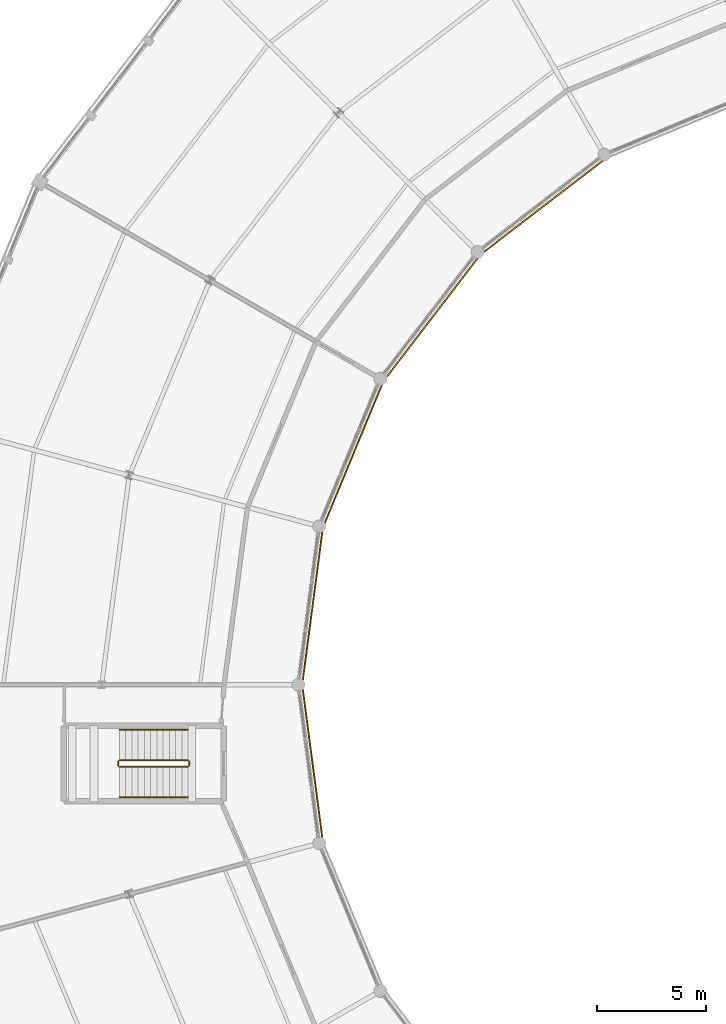
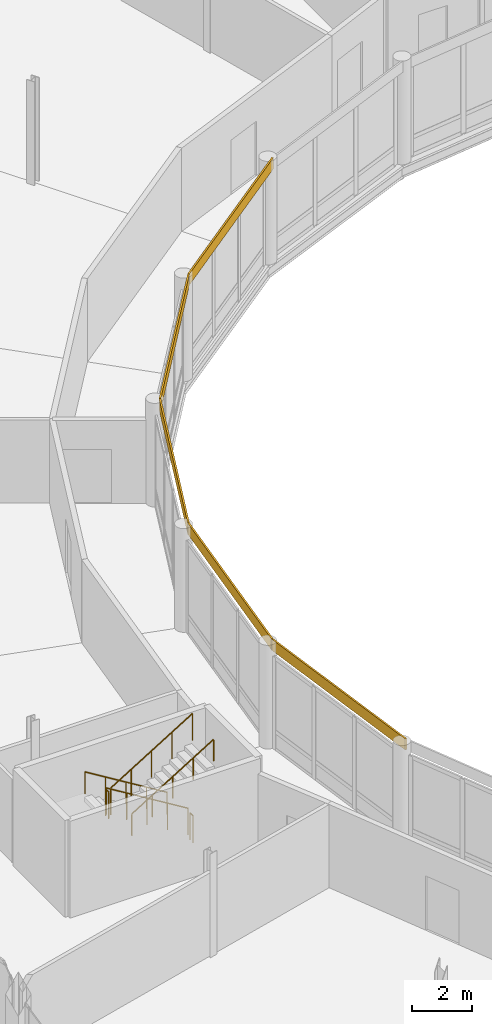
# One storey, part 162 of 170: 6 railings, 5 coverings.
"""IFC4 building model written with IfcOpenShell, lengths in metres."""

from ifc_helpers import new_model, si_unit, direction, frame, origin, origin_2d, place, context, subcontext, project, spatial, rectangle, circle, extrude, material, layer, layer_set, type_object, element, save


model = new_model("IFC4")

# Units and contexts
model_context = context("Model", 3, precision=1e-05, world=origin(), true_north=direction((0.0, 1.0)))
body_context = subcontext(model_context, "Body", "Model", "MODEL_VIEW")
ifc_project = project(units=[si_unit("LENGTHUNIT", "METRE"), si_unit("AREAUNIT", "SQUARE_METRE"), si_unit("VOLUMEUNIT", "CUBIC_METRE"), si_unit("PLANEANGLEUNIT", "RADIAN"), si_unit("MASSUNIT", "GRAM", prefix="KILO")], contexts=[model_context])

# Site, building, storey
site_placement = place(None, origin())
site = spatial("IfcSite", under=ifc_project, at=site_placement, CompositionType="ELEMENT")
building_placement = place(site_placement, origin())
building = spatial("IfcBuilding", under=site, at=building_placement, Name="Vondelvale Polytechnic", CompositionType="ELEMENT")
storey_placement = place(building_placement, frame((0.0, 0.0, 5.39990234375)))
storey = spatial("IfcBuildingStorey", under=building, at=storey_placement, Name="L01", CompositionType="ELEMENT", Elevation=5.39990234375)

# Coverings
ifc_material_1 = material(Name="Engineered Tasmanian oak studio and bridge joinery")
ifc_layer_1 = layer(ifc_material_1, 0.06494140625)
ifc_layer_set_1 = layer_set([ifc_layer_1], Name="COV-OAK-SPANDREL")
covering_type = type_object("IfcCoveringType", Name="COV-OAK-SPANDREL", PredefinedType="CLADDING", material=ifc_layer_set_1)
for number, where, z_axis, x_axis, name in (
    (1, (85.20458984375, 93.88818359375, 3.75), (0.0, 0.0, 1.0), (-0.793353340291, -0.608761429009, 0.0), "L01 exterior masonry spandrel band"),
    (2, (80.11181640625, 88.79541015625, 3.75), (0.0, 0.0, 1.0), (-0.608761429009, -0.793353340291, 0.0), "L01 exterior masonry spandrel band"),
    (3, (76.5107421875, 82.55810546875, 3.75), (0.0, 0.0, 1.0), (-0.382683432365, -0.923879532511, 0.0), "L01 exterior masonry spandrel band"),
):
    element("IfcCovering", number, at=place(storey_placement, frame(where, z_axis=z_axis, x_axis=x_axis)), inside=storey, type_object=covering_type, Name=name, PredefinedType="CLADDING", context=body_context, shape_type="SweptSolid", body=[
        extrude(rectangle(XDim=7.3095703125, YDim=0.06494140625, at=origin_2d()), origin(), (0.0, 0.0, 1.0), 0.449951171875),
    ])
for number, where, z_axis, x_axis, name in (
    (4, (74.646484375, 75.60107421875, 3.75), (0.0, 0.0, 1.0), (-0.13052619222, -0.991444861374, 0.0), "L01 exterior masonry spandrel band"),
    (5, (74.646484375, 68.39892578125, 3.75), (0.0, 0.0, 1.0), (0.13052619222, -0.991444861374, 0.0), "L01 exterior masonry spandrel band"),
):
    element("IfcCovering", number, at=place(storey_placement, frame(where, z_axis=z_axis, x_axis=x_axis)), inside=storey, type_object=covering_type, Name=name, PredefinedType="CLADDING", context=body_context, shape_type="SweptSolid", body=[
        extrude(rectangle(XDim=7.309326171875, YDim=0.06494140625, at=origin_2d()), origin(), (0.0, 0.0, 1.0), 0.449951171875),
    ])

# Railings
ifc_material_2 = material(Name="Brushed architectural stainless and zinc-coated metal")
ifc_layer_2 = layer(ifc_material_2, 0.050048828125)
ifc_layer_set_2 = layer_set([ifc_layer_2], Name="RL-STAIR-GUARD")
railing_type_1 = type_object("IfcRailingType", Name="RL-STAIR-GUARD", PredefinedType="GUARDRAIL", material=ifc_layer_set_2)
railing_1_placement = place(storey_placement, frame((68.949951171875, 68.550048828125, 0.175048828125)))
element("IfcRailing", 6, at=railing_1_placement, inside=storey, type_object=railing_type_1, Name="L01 ST-10 stair guard 1", PredefinedType="GUARDRAIL", context=body_context, shape_type="SweptSolid", body=[
    extrude(circle(Radius=0.02392578125, at=origin_2d()), frame((0.0, 0.0, 1.076171875), z_axis=(-0.852166034122, 0.0, 0.523271488128), x_axis=(0.0, -1.0, 0.0)), (0.0, 0.0, 1.0), 3.678955078125),
    extrude(circle(Radius=0.02099609375, at=origin_2d()), origin(), (0.0, 0.0, 1.0), 1.052001953125),
    extrude(circle(Radius=0.02099609375, at=origin_2d()), frame((-0.78369140625, 0.0, 0.481201171875)), (0.0, 0.0, 1.0), 1.052001953125),
    extrude(circle(Radius=0.02099609375, at=origin_2d()), frame((-1.5673828125, 0.0, 0.96240234375)), (0.0, 0.0, 1.0), 1.052001953125),
    extrude(circle(Radius=0.02099609375, at=origin_2d()), frame((-2.351318359375, 0.0, 1.44384765625)), (0.0, 0.0, 1.0), 1.052001953125),
    extrude(circle(Radius=0.02099609375, at=origin_2d()), frame((-3.135009765625, 0.0, 1.925048828125)), (0.0, 0.0, 1.0), 1.052001953125),
])
railing_2_placement = place(storey_placement, frame((65.764892578125, 68.5, 2.10009765625)))
element("IfcRailing", 7, at=railing_2_placement, inside=storey, type_object=railing_type_1, Name="L01 ST-10 stair guard 2", PredefinedType="GUARDRAIL", context=body_context, shape_type="SweptSolid", body=[
    extrude(circle(Radius=0.02392578125, at=origin_2d()), frame((0.0, 0.0, 1.076171875), z_axis=(0.0, -1.0, 0.0), x_axis=(1.0, 0.0, 0.0)), (0.0, 0.0, 1.0), 0.199951171875),
    extrude(circle(Radius=0.02099609375, at=origin_2d()), origin(), (0.0, 0.0, 1.0), 1.052001953125),
    extrude(circle(Radius=0.02099609375, at=origin_2d()), frame((0.0, -0.199951171875, 0.0)), (0.0, 0.0, 1.0), 1.052001953125),
])
railing_3_placement = place(storey_placement, frame((65.81494140625, 68.25, 2.275146484375)))
element("IfcRailing", 8, at=railing_3_placement, inside=storey, type_object=railing_type_1, Name="L01 ST-10 stair guard 3", PredefinedType="GUARDRAIL", context=body_context, shape_type="SweptSolid", body=[
    extrude(circle(Radius=0.02392578125, at=origin_2d()), frame((0.0, 0.0, 1.076171875), z_axis=(0.852166034122, 0.0, 0.523271488128), x_axis=(0.0, 1.0, 0.0)), (0.0, 0.0, 1.0), 3.678955078125),
    extrude(circle(Radius=0.02099609375, at=origin_2d()), origin(), (0.0, 0.0, 1.0), 1.052001953125),
    extrude(circle(Radius=0.02099609375, at=origin_2d()), frame((0.78369140625, 0.0, 0.481201171875)), (0.0, 0.0, 1.0), 1.052001953125),
    extrude(circle(Radius=0.02099609375, at=origin_2d()), frame((1.5673828125, 0.0, 0.96240234375)), (0.0, 0.0, 1.0), 1.052001953125),
    extrude(circle(Radius=0.02099609375, at=origin_2d()), frame((2.351318359375, 0.0, 1.44384765625)), (0.0, 0.0, 1.0), 1.052001953125),
    extrude(circle(Radius=0.02099609375, at=origin_2d()), frame((3.135009765625, 0.0, 1.925048828125)), (0.0, 0.0, 1.0), 1.052001953125),
])
railing_4_placement = place(storey_placement, frame((69.0, 68.5, 0.0)))
element("IfcRailing", 9, at=railing_4_placement, inside=storey, type_object=railing_type_1, Name="L01 ST-10 stair guard 4", PredefinedType="GUARDRAIL", context=body_context, shape_type="SweptSolid", body=[
    extrude(circle(Radius=0.02392578125, at=origin_2d()), frame((0.0, 0.0, 1.076171875), z_axis=(0.0, -1.0, 0.0), x_axis=(1.0, 0.0, 0.0)), (0.0, 0.0, 1.0), 0.199951171875),
    extrude(circle(Radius=0.02099609375, at=origin_2d()), origin(), (0.0, 0.0, 1.0), 1.052001953125),
    extrude(circle(Radius=0.02099609375, at=origin_2d()), frame((0.0, -0.199951171875, 0.0)), (0.0, 0.0, 1.0), 1.052001953125),
])
ifc_layer_3 = layer(ifc_material_2, 0.048095703125)
ifc_layer_set_3 = layer_set([ifc_layer_3], Name="RL-STAIR-HANDRAIL")
railing_type_2 = type_object("IfcRailingType", Name="RL-STAIR-HANDRAIL", PredefinedType="HANDRAIL", material=ifc_layer_set_3)
railing_5_placement = place(storey_placement, frame((68.949951171875, 69.949951171875, 0.175048828125)))
element("IfcRailing", 10, at=railing_5_placement, inside=storey, type_object=railing_type_2, Name="L01 ST-10 stair handrail 1", PredefinedType="HANDRAIL", context=body_context, shape_type="SweptSolid", body=[
    extrude(circle(Radius=0.02392578125, at=origin_2d()), frame((0.0, 0.0, 0.8759765625), z_axis=(-0.852166034122, 0.0, 0.523271488128), x_axis=(0.0, -1.0, 0.0)), (0.0, 0.0, 1.0), 3.678955078125),
    extrude(circle(Radius=0.02099609375, at=origin_2d()), origin(), (0.0, 0.0, 1.0), 0.851806640625),
    extrude(circle(Radius=0.02099609375, at=origin_2d()), frame((-0.78369140625, 0.0, 0.481201171875)), (0.0, 0.0, 1.0), 0.851806640625),
    extrude(circle(Radius=0.02099609375, at=origin_2d()), frame((-1.5673828125, 0.0, 0.96240234375)), (0.0, 0.0, 1.0), 0.851806640625),
    extrude(circle(Radius=0.02099609375, at=origin_2d()), frame((-2.351318359375, 0.0, 1.44384765625)), (0.0, 0.0, 1.0), 0.851806640625),
    extrude(circle(Radius=0.02099609375, at=origin_2d()), frame((-3.135009765625, 0.0, 1.925048828125)), (0.0, 0.0, 1.0), 0.851806640625),
])
railing_6_placement = place(storey_placement, frame((65.81494140625, 66.85009765625, 2.275146484375)))
element("IfcRailing", 11, at=railing_6_placement, inside=storey, type_object=railing_type_2, Name="L01 ST-10 stair handrail 2", PredefinedType="HANDRAIL", context=body_context, shape_type="SweptSolid", body=[
    extrude(circle(Radius=0.02392578125, at=origin_2d()), frame((0.0, 0.0, 0.8759765625), z_axis=(0.852166034122, 0.0, 0.523271488128), x_axis=(0.0, 1.0, 0.0)), (0.0, 0.0, 1.0), 3.678955078125),
    extrude(circle(Radius=0.02099609375, at=origin_2d()), origin(), (0.0, 0.0, 1.0), 0.851806640625),
    extrude(circle(Radius=0.02099609375, at=origin_2d()), frame((0.78369140625, 0.0, 0.481201171875)), (0.0, 0.0, 1.0), 0.851806640625),
    extrude(circle(Radius=0.02099609375, at=origin_2d()), frame((1.5673828125, 0.0, 0.96240234375)), (0.0, 0.0, 1.0), 0.851806640625),
    extrude(circle(Radius=0.02099609375, at=origin_2d()), frame((2.351318359375, 0.0, 1.44384765625)), (0.0, 0.0, 1.0), 0.851806640625),
    extrude(circle(Radius=0.02099609375, at=origin_2d()), frame((3.135009765625, 0.0, 1.925048828125)), (0.0, 0.0, 1.0), 0.851806640625),
])

save(model, "model.ifc")
